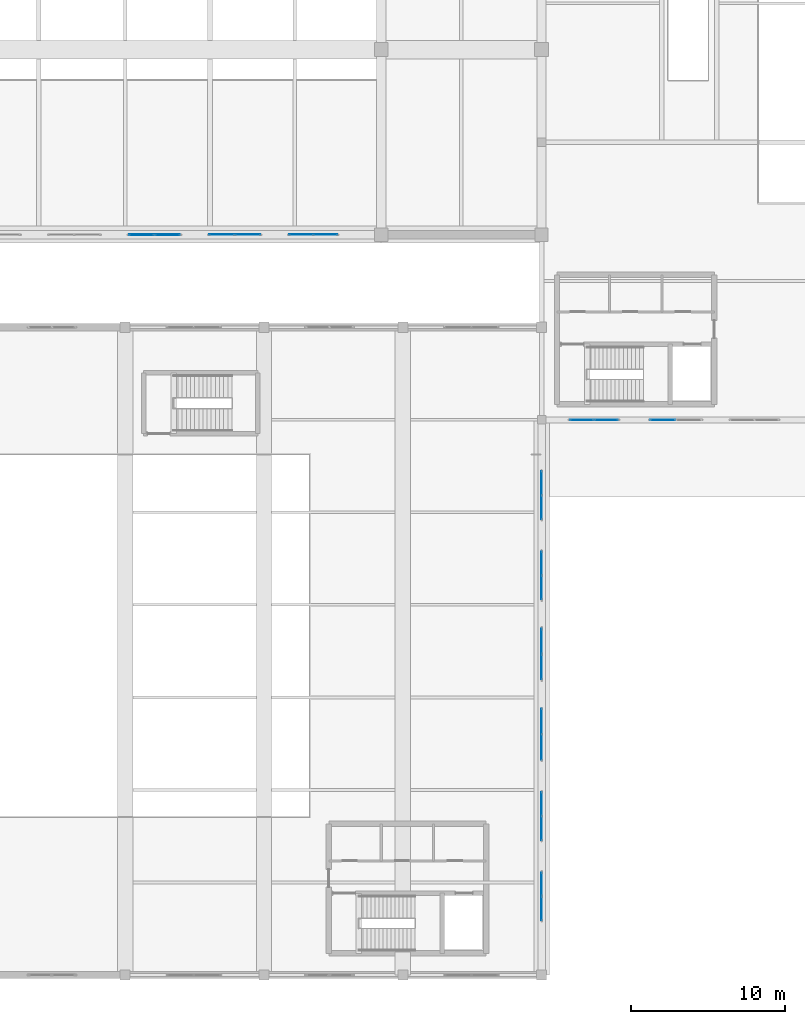
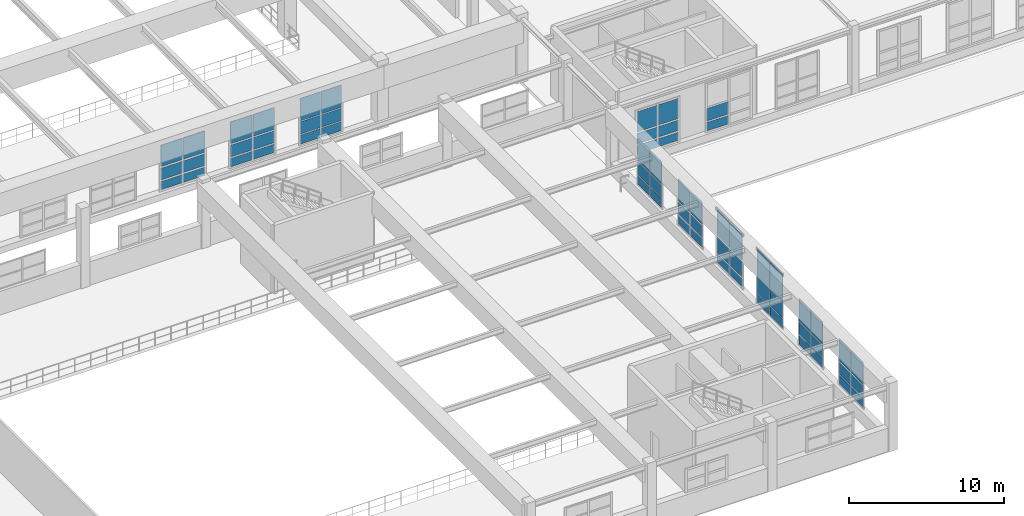
# One storey, part 156 of 197: 62 plates, 11 elements without a shape of their own.
"""IFC4 building model written with IfcOpenShell, lengths in metres."""

from ifc_helpers import new_model, si_unit, derived_unit, direction, frame, origin, origin_2d, place, context, subcontext, project, spatial, rectangle, extrude, material, layer, layer_set, type_object, element, aggregate, save


model = new_model("IFC4")

# Units and contexts
model_context = context("Model", 3, precision=1e-05, world=origin(), true_north=direction((0.0, 1.0)))
body_context = subcontext(model_context, "Body", "Model", "MODEL_VIEW")
ifc_project = project(units=[si_unit("LENGTHUNIT", "METRE"), si_unit("AREAUNIT", "SQUARE_METRE"), si_unit("VOLUMEUNIT", "CUBIC_METRE"), si_unit("PLANEANGLEUNIT", "RADIAN"), si_unit("MASSUNIT", "GRAM", prefix="KILO"), derived_unit("THERMALTRANSMITTANCEUNIT", [(si_unit("POWERUNIT", "WATT"), 1), (si_unit("LENGTHUNIT", "METRE"), -2), (si_unit("THERMODYNAMICTEMPERATUREUNIT", "KELVIN"), -1)])], contexts=[model_context])

# Site, building, storey
site_placement = place(None, origin())
site = spatial("IfcSite", under=ifc_project, at=site_placement, CompositionType="ELEMENT")
building_placement = place(site_placement, origin())
building = spatial("IfcBuilding", under=site, at=building_placement, Name="Almenara Railside Exhibition Hall", CompositionType="ELEMENT")
storey_placement = place(building_placement, frame((0.0, 0.0, 5.39990234375)))
storey = spatial("IfcBuildingStorey", under=building, at=storey_placement, Name="L01", CompositionType="ELEMENT", Elevation=5.39990234375)

# Curtain wall, plates
ifc_material_1 = material(Name="Bronze-anodised aluminium and low-E double glazing", Category="aluminium")
ifc_layer_1 = layer(ifc_material_1, 0.179931640625, Name="Bronze-anodised aluminium and low-E double glazing")
ifc_layer_set_1 = layer_set([ifc_layer_1], Name="Bronze-anodised aluminium and low-E double glazing")
curtain_wall_type_1 = type_object("IfcCurtainWallType", Name="Scroll Gable Side Curtain Wall 3200x3800", PredefinedType="NOTDEFINED", material=ifc_layer_set_1)
curtain_wall_1_placement = place(storey_placement, origin())
curtain_wall_1 = element("IfcCurtainWall", 1, at=curtain_wall_1_placement, inside=storey, type_object=curtain_wall_type_1, Name="Curtain wall CW-G4-030", PredefinedType="NOTDEFINED")
ifc_material_2 = material(Name="Solar-control acoustic laminated glazing", Category="glass")
ifc_layer_2 = layer(ifc_material_2, 0.031982421875, Name="Solar-control acoustic laminated glazing")
ifc_layer_set_2 = layer_set([ifc_layer_2], Name="Solar-control acoustic laminated glazing")
plate_type_1 = type_object("IfcPlateType", Name="Acoustic Low-E Double Glazing Panel 32mm", PredefinedType="CURTAIN_PANEL", material=ifc_layer_set_2)
plate_1_placement = place(storey_placement, frame((50.4150390625, 48.0, 0.59423828125), z_axis=(0.0, 0.0, 1.0), x_axis=(1.0, 0.0, 0.0)))
plate_1 = element("IfcPlate", 2, at=plate_1_placement, type_object=plate_type_1, Name="CW-G4-030 panel 1.1", PredefinedType="CURTAIN_PANEL", context=body_context, shape_type="SweptSolid", body=[
    extrude(rectangle(XDim=1.52587890625, YDim=0.031982421875, at=origin_2d()), origin(), (0.0, 0.0, 1.0), 0.717041015625),
])
plate_2_placement = place(storey_placement, frame((50.4150390625, 48.0, 1.38916015625), z_axis=(0.0, 0.0, 1.0), x_axis=(1.0, 0.0, 0.0)))
plate_2 = element("IfcPlate", 3, at=plate_2_placement, type_object=plate_type_1, Name="CW-G4-030 panel 1.2", PredefinedType="CURTAIN_PANEL", context=body_context, shape_type="SweptSolid", body=[
    extrude(rectangle(XDim=1.52587890625, YDim=0.031982421875, at=origin_2d()), origin(), (0.0, 0.0, 1.0), 0.971923828125),
])
plate_3_placement = place(storey_placement, frame((50.4150390625, 48.0, 2.43896484375), z_axis=(0.0, 0.0, 1.0), x_axis=(1.0, 0.0, 0.0)))
plate_3 = element("IfcPlate", 4, at=plate_3_placement, type_object=plate_type_1, Name="CW-G4-030 panel 1.3", PredefinedType="CURTAIN_PANEL", context=body_context, shape_type="SweptSolid", body=[
    extrude(rectangle(XDim=1.52587890625, YDim=0.031982421875, at=origin_2d()), origin(), (0.0, 0.0, 1.0), 1.76708984375),
])
plate_4_placement = place(storey_placement, frame((51.985107421875, 48.0, 0.59423828125), z_axis=(0.0, 0.0, 1.0), x_axis=(1.0, 0.0, 0.0)))
plate_4 = element("IfcPlate", 5, at=plate_4_placement, type_object=plate_type_1, Name="CW-G4-030 panel 2.1", PredefinedType="CURTAIN_PANEL", context=body_context, shape_type="SweptSolid", body=[
    extrude(rectangle(XDim=1.52587890625, YDim=0.031982421875, at=origin_2d()), origin(), (0.0, 0.0, 1.0), 0.717041015625),
])
plate_5_placement = place(storey_placement, frame((51.985107421875, 48.0, 1.38916015625), z_axis=(0.0, 0.0, 1.0), x_axis=(1.0, 0.0, 0.0)))
plate_5 = element("IfcPlate", 6, at=plate_5_placement, type_object=plate_type_1, Name="CW-G4-030 panel 2.2", PredefinedType="CURTAIN_PANEL", context=body_context, shape_type="SweptSolid", body=[
    extrude(rectangle(XDim=1.52587890625, YDim=0.031982421875, at=origin_2d()), origin(), (0.0, 0.0, 1.0), 0.971923828125),
])
plate_6_placement = place(storey_placement, frame((51.985107421875, 48.0, 2.43896484375), z_axis=(0.0, 0.0, 1.0), x_axis=(1.0, 0.0, 0.0)))
plate_6 = element("IfcPlate", 7, at=plate_6_placement, type_object=plate_type_1, Name="CW-G4-030 panel 2.3", PredefinedType="CURTAIN_PANEL", context=body_context, shape_type="SweptSolid", body=[
    extrude(rectangle(XDim=1.52587890625, YDim=0.031982421875, at=origin_2d()), origin(), (0.0, 0.0, 1.0), 1.76708984375),
])
aggregate(curtain_wall_1, [plate_1, plate_2, plate_3, plate_4, plate_5, plate_6])

ifc_layer_3 = layer(ifc_material_1, 0.179931640625, Name="Bronze-anodised aluminium and low-E double glazing")
ifc_layer_set_3 = layer_set([ifc_layer_3], Name="Bronze-anodised aluminium and low-E double glazing")
curtain_wall_type_2 = type_object("IfcCurtainWallType", Name="Scroll Gable Mid Curtain Wall 3400x4400", PredefinedType="NOTDEFINED", material=ifc_layer_set_3)
curtain_wall_2_placement = place(storey_placement, origin())
curtain_wall_2 = element("IfcCurtainWall", 8, at=curtain_wall_2_placement, inside=storey, type_object=curtain_wall_type_2, Name="Curtain wall CW-G3-115", PredefinedType="NOTDEFINED")
plate_7_placement = place(storey_placement, frame((66.0, 14.763671875, 1.024169921875), z_axis=(0.0, 0.0, 1.0), x_axis=(0.0, 1.0, 0.0)))
plate_7 = element("IfcPlate", 9, at=plate_7_placement, type_object=plate_type_1, Name="CW-G3-115 panel 1.1", PredefinedType="CURTAIN_PANEL", context=body_context, shape_type="SweptSolid", body=[
    extrude(rectangle(XDim=1.633544921875, YDim=0.031982421875, at=origin_2d()), origin(), (0.0, 0.0, 1.0), 0.7470703125),
])
plate_8_placement = place(storey_placement, frame((66.0, 14.763671875, 1.8291015625), z_axis=(0.0, 0.0, 1.0), x_axis=(0.0, 1.0, 0.0)))
plate_8 = element("IfcPlate", 10, at=plate_8_placement, type_object=plate_type_1, Name="CW-G3-115 panel 1.2", PredefinedType="CURTAIN_PANEL", context=body_context, shape_type="SweptSolid", body=[
    extrude(rectangle(XDim=1.633544921875, YDim=0.031982421875, at=origin_2d()), origin(), (0.0, 0.0, 1.0), 1.2919921875),
])
plate_9_placement = place(storey_placement, frame((66.0, 14.763671875, 3.17919921875), z_axis=(0.0, 0.0, 1.0), x_axis=(0.0, 1.0, 0.0)))
plate_9 = element("IfcPlate", 11, at=plate_9_placement, type_object=plate_type_1, Name="CW-G3-115 panel 1.3", PredefinedType="CURTAIN_PANEL", context=body_context, shape_type="SweptSolid", body=[
    extrude(rectangle(XDim=1.633544921875, YDim=0.031982421875, at=origin_2d()), origin(), (0.0, 0.0, 1.0), 2.096923828125),
])
plate_10_placement = place(storey_placement, frame((66.0, 16.436279296875, 1.024169921875), z_axis=(0.0, 0.0, 1.0), x_axis=(0.0, 1.0, 0.0)))
plate_10 = element("IfcPlate", 12, at=plate_10_placement, type_object=plate_type_1, Name="CW-G3-115 panel 2.1", PredefinedType="CURTAIN_PANEL", context=body_context, shape_type="SweptSolid", body=[
    extrude(rectangle(XDim=1.633544921875, YDim=0.031982421875, at=origin_2d()), origin(), (0.0, 0.0, 1.0), 0.7470703125),
])
plate_11_placement = place(storey_placement, frame((66.0, 16.436279296875, 1.8291015625), z_axis=(0.0, 0.0, 1.0), x_axis=(0.0, 1.0, 0.0)))
plate_11 = element("IfcPlate", 13, at=plate_11_placement, type_object=plate_type_1, Name="CW-G3-115 panel 2.2", PredefinedType="CURTAIN_PANEL", context=body_context, shape_type="SweptSolid", body=[
    extrude(rectangle(XDim=1.633544921875, YDim=0.031982421875, at=origin_2d()), origin(), (0.0, 0.0, 1.0), 1.2919921875),
])
plate_12_placement = place(storey_placement, frame((66.0, 16.436279296875, 3.17919921875), z_axis=(0.0, 0.0, 1.0), x_axis=(0.0, 1.0, 0.0)))
plate_12 = element("IfcPlate", 14, at=plate_12_placement, type_object=plate_type_1, Name="CW-G3-115 panel 2.3", PredefinedType="CURTAIN_PANEL", context=body_context, shape_type="SweptSolid", body=[
    extrude(rectangle(XDim=1.633544921875, YDim=0.031982421875, at=origin_2d()), origin(), (0.0, 0.0, 1.0), 2.096923828125),
])
aggregate(curtain_wall_2, [plate_7, plate_8, plate_9, plate_10, plate_11, plate_12])

ifc_layer_4 = layer(ifc_material_1, 0.179931640625, Name="Bronze-anodised aluminium and low-E double glazing")
ifc_layer_set_4 = layer_set([ifc_layer_4], Name="Bronze-anodised aluminium and low-E double glazing")
curtain_wall_type_3 = type_object("IfcCurtainWallType", Name="Concourse Upper Portale Curtain Wall 3400x3900", PredefinedType="NOTDEFINED", material=ifc_layer_set_4)
curtain_wall_3_placement = place(storey_placement, origin())
curtain_wall_3 = element("IfcCurtainWall", 15, at=curtain_wall_3_placement, inside=storey, type_object=curtain_wall_type_3, Name="Curtain wall CW-PC2-120", PredefinedType="NOTDEFINED")
plate_13_placement = place(storey_placement, frame((73.8662109375, 36.0, 0.72412109375), z_axis=(0.0, 0.0, 1.0), x_axis=(1.0, 0.0, 0.0)))
plate_13 = element("IfcPlate", 16, at=plate_13_placement, type_object=plate_type_1, Name="CW-PC2-120 panel 1.1", PredefinedType="CURTAIN_PANEL", context=body_context, shape_type="SweptSolid", body=[
    extrude(rectangle(XDim=1.618408203125, YDim=0.031982421875, at=origin_2d()), origin(), (0.0, 0.0, 1.0), 0.672119140625),
])
plate_14_placement = place(storey_placement, frame((73.8662109375, 36.0, 1.50390625), z_axis=(0.0, 0.0, 1.0), x_axis=(1.0, 0.0, 0.0)))
plate_14 = element("IfcPlate", 17, at=plate_14_placement, type_object=plate_type_1, Name="CW-PC2-120 panel 1.2", PredefinedType="CURTAIN_PANEL", context=body_context, shape_type="SweptSolid", body=[
    extrude(rectangle(XDim=1.618408203125, YDim=0.031982421875, at=origin_2d()), origin(), (0.0, 0.0, 1.0), 0.991943359375),
])
aggregate(curtain_wall_3, [plate_13, plate_14])

curtain_wall_4_placement = place(storey_placement, origin())
curtain_wall_4 = element("IfcCurtainWall", 18, at=curtain_wall_4_placement, inside=storey, type_object=curtain_wall_type_1, Name="Curtain wall CW-G4-117", PredefinedType="NOTDEFINED")
ifc_material_3 = material(Name="Clear low-E laminated double glazing", Category="glass")
ifc_layer_5 = layer(ifc_material_3, 0.02392578125, Name="Clear low-E laminated double glazing")
ifc_layer_set_5 = layer_set([ifc_layer_5], Name="Clear low-E laminated double glazing")
plate_type_2 = type_object("IfcPlateType", Name="Courtyard Clear Double Glazing Panel 24mm", PredefinedType="CURTAIN_PANEL", material=ifc_layer_set_5)
plate_15_placement = place(storey_placement, frame((66.0, 25.1162109375, 1.07421875), z_axis=(0.0, 0.0, 1.0), x_axis=(0.0, 1.0, 0.0)))
plate_15 = element("IfcPlate", 19, at=plate_15_placement, type_object=plate_type_2, Name="CW-G4-117 panel 1.1", PredefinedType="CURTAIN_PANEL", context=body_context, shape_type="SweptSolid", body=[
    extrude(rectangle(XDim=1.5185546875, YDim=0.02392578125, at=origin_2d()), origin(), (0.0, 0.0, 1.0), 0.672119140625),
])
plate_16_placement = place(storey_placement, frame((66.0, 25.1162109375, 1.854248046875), z_axis=(0.0, 0.0, 1.0), x_axis=(0.0, 1.0, 0.0)))
plate_16 = element("IfcPlate", 20, at=plate_16_placement, type_object=plate_type_2, Name="CW-G4-117 panel 1.2", PredefinedType="CURTAIN_PANEL", context=body_context, shape_type="SweptSolid", body=[
    extrude(rectangle(XDim=1.5185546875, YDim=0.02392578125, at=origin_2d()), origin(), (0.0, 0.0, 1.0), 0.94189453125),
])
plate_17_placement = place(storey_placement, frame((66.0, 25.1162109375, 2.904296875), z_axis=(0.0, 0.0, 1.0), x_axis=(0.0, 1.0, 0.0)))
plate_17 = element("IfcPlate", 21, at=plate_17_placement, type_object=plate_type_2, Name="CW-G4-117 panel 1.3", PredefinedType="CURTAIN_PANEL", context=body_context, shape_type="SweptSolid", body=[
    extrude(rectangle(XDim=1.5185546875, YDim=0.02392578125, at=origin_2d()), origin(), (0.0, 0.0, 1.0), 1.721923828125),
])
plate_18_placement = place(storey_placement, frame((66.0, 26.683837890625, 1.07421875), z_axis=(0.0, 0.0, 1.0), x_axis=(0.0, 1.0, 0.0)))
plate_18 = element("IfcPlate", 22, at=plate_18_placement, type_object=plate_type_2, Name="CW-G4-117 panel 2.1", PredefinedType="CURTAIN_PANEL", context=body_context, shape_type="SweptSolid", body=[
    extrude(rectangle(XDim=1.5185546875, YDim=0.02392578125, at=origin_2d()), origin(), (0.0, 0.0, 1.0), 0.672119140625),
])
plate_19_placement = place(storey_placement, frame((66.0, 26.683837890625, 1.854248046875), z_axis=(0.0, 0.0, 1.0), x_axis=(0.0, 1.0, 0.0)))
plate_19 = element("IfcPlate", 23, at=plate_19_placement, type_object=plate_type_2, Name="CW-G4-117 panel 2.2", PredefinedType="CURTAIN_PANEL", context=body_context, shape_type="SweptSolid", body=[
    extrude(rectangle(XDim=1.5185546875, YDim=0.02392578125, at=origin_2d()), origin(), (0.0, 0.0, 1.0), 0.94189453125),
])
plate_20_placement = place(storey_placement, frame((66.0, 26.683837890625, 2.904296875), z_axis=(0.0, 0.0, 1.0), x_axis=(0.0, 1.0, 0.0)))
plate_20 = element("IfcPlate", 24, at=plate_20_placement, type_object=plate_type_2, Name="CW-G4-117 panel 2.3", PredefinedType="CURTAIN_PANEL", context=body_context, shape_type="SweptSolid", body=[
    extrude(rectangle(XDim=1.5185546875, YDim=0.02392578125, at=origin_2d()), origin(), (0.0, 0.0, 1.0), 1.721923828125),
])
aggregate(curtain_wall_4, [plate_15, plate_16, plate_17, plate_18, plate_19, plate_20])

curtain_wall_5_placement = place(storey_placement, origin())
curtain_wall_5 = element("IfcCurtainWall", 25, at=curtain_wall_5_placement, inside=storey, type_object=curtain_wall_type_2, Name="Curtain wall CW-G3-028", PredefinedType="NOTDEFINED")
ifc_material_4 = material(Name="Bronze-anodised insulated aluminium spandrel", Category="aluminium")
ifc_layer_6 = layer(ifc_material_4, 0.0400390625, Name="Bronze-anodised insulated aluminium spandrel")
ifc_layer_set_6 = layer_set([ifc_layer_6], Name="Bronze-anodised insulated aluminium spandrel")
plate_type_3 = type_object("IfcPlateType", Name="Insulated Bronze Spandrel Panel 40mm", PredefinedType="CURTAIN_PANEL", material=ifc_layer_set_6)
plate_21_placement = place(storey_placement, frame((40.0673828125, 48.0, 0.64404296875), z_axis=(0.0, 0.0, 1.0), x_axis=(1.0, 0.0, 0.0)))
plate_21 = element("IfcPlate", 26, at=plate_21_placement, type_object=plate_type_3, Name="CW-G3-028 panel 1.1", PredefinedType="CURTAIN_PANEL", context=body_context, shape_type="SweptSolid", body=[
    extrude(rectangle(XDim=1.611083984375, YDim=0.0400390625, at=origin_2d()), origin(), (0.0, 0.0, 1.0), 0.64208984375),
])
plate_22_placement = place(storey_placement, frame((40.0673828125, 48.0, 1.4140625), z_axis=(0.0, 0.0, 1.0), x_axis=(1.0, 0.0, 0.0)))
plate_22 = element("IfcPlate", 27, at=plate_22_placement, type_object=plate_type_3, Name="CW-G3-028 panel 1.2", PredefinedType="CURTAIN_PANEL", context=body_context, shape_type="SweptSolid", body=[
    extrude(rectangle(XDim=1.611083984375, YDim=0.0400390625, at=origin_2d()), origin(), (0.0, 0.0, 1.0), 0.922119140625),
])
plate_23_placement = place(storey_placement, frame((40.0673828125, 48.0, 2.464111328125), z_axis=(0.0, 0.0, 1.0), x_axis=(1.0, 0.0, 0.0)))
plate_23 = element("IfcPlate", 28, at=plate_23_placement, type_object=plate_type_3, Name="CW-G3-028 panel 1.3", PredefinedType="CURTAIN_PANEL", context=body_context, shape_type="SweptSolid", body=[
    extrude(rectangle(XDim=1.611083984375, YDim=0.0400390625, at=origin_2d()), origin(), (0.0, 0.0, 1.0), 1.69189453125),
])
plate_24_placement = place(storey_placement, frame((41.732421875, 48.0, 0.64404296875), z_axis=(0.0, 0.0, 1.0), x_axis=(1.0, 0.0, 0.0)))
plate_24 = element("IfcPlate", 29, at=plate_24_placement, type_object=plate_type_3, Name="CW-G3-028 panel 2.1", PredefinedType="CURTAIN_PANEL", context=body_context, shape_type="SweptSolid", body=[
    extrude(rectangle(XDim=1.611083984375, YDim=0.0400390625, at=origin_2d()), origin(), (0.0, 0.0, 1.0), 0.64208984375),
])
plate_25_placement = place(storey_placement, frame((41.732421875, 48.0, 1.4140625), z_axis=(0.0, 0.0, 1.0), x_axis=(1.0, 0.0, 0.0)))
plate_25 = element("IfcPlate", 30, at=plate_25_placement, type_object=plate_type_3, Name="CW-G3-028 panel 2.2", PredefinedType="CURTAIN_PANEL", context=body_context, shape_type="SweptSolid", body=[
    extrude(rectangle(XDim=1.611083984375, YDim=0.0400390625, at=origin_2d()), origin(), (0.0, 0.0, 1.0), 0.922119140625),
])
plate_26_placement = place(storey_placement, frame((41.732421875, 48.0, 2.464111328125), z_axis=(0.0, 0.0, 1.0), x_axis=(1.0, 0.0, 0.0)))
plate_26 = element("IfcPlate", 31, at=plate_26_placement, type_object=plate_type_3, Name="CW-G3-028 panel 2.3", PredefinedType="CURTAIN_PANEL", context=body_context, shape_type="SweptSolid", body=[
    extrude(rectangle(XDim=1.611083984375, YDim=0.0400390625, at=origin_2d()), origin(), (0.0, 0.0, 1.0), 1.69189453125),
])
aggregate(curtain_wall_5, [plate_21, plate_22, plate_23, plate_24, plate_25, plate_26])

curtain_wall_6_placement = place(storey_placement, origin())
curtain_wall_6 = element("IfcCurtainWall", 32, at=curtain_wall_6_placement, inside=storey, type_object=curtain_wall_type_1, Name="Curtain wall CW-G4-113", PredefinedType="NOTDEFINED")
plate_27_placement = place(storey_placement, frame((66.0, 4.316162109375, 1.07421875), z_axis=(0.0, 0.0, 1.0), x_axis=(0.0, 1.0, 0.0)))
plate_27 = element("IfcPlate", 33, at=plate_27_placement, type_object=plate_type_3, Name="CW-G4-113 panel 1.1", PredefinedType="CURTAIN_PANEL", context=body_context, shape_type="SweptSolid", body=[
    extrude(rectangle(XDim=1.5185546875, YDim=0.0400390625, at=origin_2d()), origin(), (0.0, 0.0, 1.0), 0.672119140625),
])
plate_28_placement = place(storey_placement, frame((66.0, 4.316162109375, 1.854248046875), z_axis=(0.0, 0.0, 1.0), x_axis=(0.0, 1.0, 0.0)))
plate_28 = element("IfcPlate", 34, at=plate_28_placement, type_object=plate_type_3, Name="CW-G4-113 panel 1.2", PredefinedType="CURTAIN_PANEL", context=body_context, shape_type="SweptSolid", body=[
    extrude(rectangle(XDim=1.5185546875, YDim=0.0400390625, at=origin_2d()), origin(), (0.0, 0.0, 1.0), 0.94189453125),
])
plate_29_placement = place(storey_placement, frame((66.0, 4.316162109375, 2.904296875), z_axis=(0.0, 0.0, 1.0), x_axis=(0.0, 1.0, 0.0)))
plate_29 = element("IfcPlate", 35, at=plate_29_placement, type_object=plate_type_3, Name="CW-G4-113 panel 1.3", PredefinedType="CURTAIN_PANEL", context=body_context, shape_type="SweptSolid", body=[
    extrude(rectangle(XDim=1.5185546875, YDim=0.0400390625, at=origin_2d()), origin(), (0.0, 0.0, 1.0), 1.721923828125),
])
plate_30_placement = place(storey_placement, frame((66.0, 5.8837890625, 1.07421875), z_axis=(0.0, 0.0, 1.0), x_axis=(0.0, 1.0, 0.0)))
plate_30 = element("IfcPlate", 36, at=plate_30_placement, type_object=plate_type_3, Name="CW-G4-113 panel 2.1", PredefinedType="CURTAIN_PANEL", context=body_context, shape_type="SweptSolid", body=[
    extrude(rectangle(XDim=1.5185546875, YDim=0.0400390625, at=origin_2d()), origin(), (0.0, 0.0, 1.0), 0.672119140625),
])
plate_31_placement = place(storey_placement, frame((66.0, 5.8837890625, 1.854248046875), z_axis=(0.0, 0.0, 1.0), x_axis=(0.0, 1.0, 0.0)))
plate_31 = element("IfcPlate", 37, at=plate_31_placement, type_object=plate_type_3, Name="CW-G4-113 panel 2.2", PredefinedType="CURTAIN_PANEL", context=body_context, shape_type="SweptSolid", body=[
    extrude(rectangle(XDim=1.5185546875, YDim=0.0400390625, at=origin_2d()), origin(), (0.0, 0.0, 1.0), 0.94189453125),
])
plate_32_placement = place(storey_placement, frame((66.0, 5.8837890625, 2.904296875), z_axis=(0.0, 0.0, 1.0), x_axis=(0.0, 1.0, 0.0)))
plate_32 = element("IfcPlate", 38, at=plate_32_placement, type_object=plate_type_3, Name="CW-G4-113 panel 2.3", PredefinedType="CURTAIN_PANEL", context=body_context, shape_type="SweptSolid", body=[
    extrude(rectangle(XDim=1.5185546875, YDim=0.0400390625, at=origin_2d()), origin(), (0.0, 0.0, 1.0), 1.721923828125),
])
aggregate(curtain_wall_6, [plate_27, plate_28, plate_29, plate_30, plate_31, plate_32])

curtain_wall_7_placement = place(storey_placement, origin())
curtain_wall_7 = element("IfcCurtainWall", 39, at=curtain_wall_7_placement, inside=storey, type_object=curtain_wall_type_1, Name="Curtain wall CW-G4-118", PredefinedType="NOTDEFINED")
plate_33_placement = place(storey_placement, frame((66.0, 30.31494140625, 1.0439453125), z_axis=(0.0, 0.0, 1.0), x_axis=(0.0, 1.0, 0.0)))
plate_33 = element("IfcPlate", 40, at=plate_33_placement, type_object=plate_type_3, Name="CW-G4-118 panel 1.1", PredefinedType="CURTAIN_PANEL", context=body_context, shape_type="SweptSolid", body=[
    extrude(rectangle(XDim=1.52587890625, YDim=0.0400390625, at=origin_2d()), origin(), (0.0, 0.0, 1.0), 0.717041015625),
])
plate_34_placement = place(storey_placement, frame((66.0, 30.31494140625, 1.83935546875), z_axis=(0.0, 0.0, 1.0), x_axis=(0.0, 1.0, 0.0)))
plate_34 = element("IfcPlate", 41, at=plate_34_placement, type_object=plate_type_3, Name="CW-G4-118 panel 1.2", PredefinedType="CURTAIN_PANEL", context=body_context, shape_type="SweptSolid", body=[
    extrude(rectangle(XDim=1.52587890625, YDim=0.0400390625, at=origin_2d()), origin(), (0.0, 0.0, 1.0), 0.971923828125),
])
plate_35_placement = place(storey_placement, frame((66.0, 30.31494140625, 2.88916015625), z_axis=(0.0, 0.0, 1.0), x_axis=(0.0, 1.0, 0.0)))
plate_35 = element("IfcPlate", 42, at=plate_35_placement, type_object=plate_type_3, Name="CW-G4-118 panel 1.3", PredefinedType="CURTAIN_PANEL", context=body_context, shape_type="SweptSolid", body=[
    extrude(rectangle(XDim=1.52587890625, YDim=0.0400390625, at=origin_2d()), origin(), (0.0, 0.0, 1.0), 1.76708984375),
])
plate_36_placement = place(storey_placement, frame((66.0, 31.885009765625, 1.0439453125), z_axis=(0.0, 0.0, 1.0), x_axis=(0.0, 1.0, 0.0)))
plate_36 = element("IfcPlate", 43, at=plate_36_placement, type_object=plate_type_3, Name="CW-G4-118 panel 2.1", PredefinedType="CURTAIN_PANEL", context=body_context, shape_type="SweptSolid", body=[
    extrude(rectangle(XDim=1.52587890625, YDim=0.0400390625, at=origin_2d()), origin(), (0.0, 0.0, 1.0), 0.717041015625),
])
plate_37_placement = place(storey_placement, frame((66.0, 31.885009765625, 1.83935546875), z_axis=(0.0, 0.0, 1.0), x_axis=(0.0, 1.0, 0.0)))
plate_37 = element("IfcPlate", 44, at=plate_37_placement, type_object=plate_type_3, Name="CW-G4-118 panel 2.2", PredefinedType="CURTAIN_PANEL", context=body_context, shape_type="SweptSolid", body=[
    extrude(rectangle(XDim=1.52587890625, YDim=0.0400390625, at=origin_2d()), origin(), (0.0, 0.0, 1.0), 0.971923828125),
])
plate_38_placement = place(storey_placement, frame((66.0, 31.885009765625, 2.88916015625), z_axis=(0.0, 0.0, 1.0), x_axis=(0.0, 1.0, 0.0)))
plate_38 = element("IfcPlate", 45, at=plate_38_placement, type_object=plate_type_3, Name="CW-G4-118 panel 2.3", PredefinedType="CURTAIN_PANEL", context=body_context, shape_type="SweptSolid", body=[
    extrude(rectangle(XDim=1.52587890625, YDim=0.0400390625, at=origin_2d()), origin(), (0.0, 0.0, 1.0), 1.76708984375),
])
aggregate(curtain_wall_7, [plate_33, plate_34, plate_35, plate_36, plate_37, plate_38])

curtain_wall_8_placement = place(storey_placement, origin())
curtain_wall_8 = element("IfcCurtainWall", 46, at=curtain_wall_8_placement, inside=storey, type_object=curtain_wall_type_2, Name="Curtain wall CW-G3-029", PredefinedType="NOTDEFINED")
ifc_layer_7 = layer(ifc_material_4, 0.034912109375, Name="Bronze-anodised insulated aluminium spandrel")
ifc_layer_set_7 = layer_set([ifc_layer_7], Name="Bronze-anodised insulated aluminium spandrel")
plate_type_4 = type_object("IfcPlateType", Name="Insulated Stucco-Tone Spandrel Panel 35mm", PredefinedType="CURTAIN_PANEL", material=ifc_layer_set_7)
plate_39_placement = place(storey_placement, frame((45.266357421875, 48.0, 0.6240234375), z_axis=(0.0, 0.0, 1.0), x_axis=(1.0, 0.0, 0.0)))
plate_39 = element("IfcPlate", 47, at=plate_39_placement, type_object=plate_type_4, Name="CW-G3-029 panel 1.1", PredefinedType="CURTAIN_PANEL", context=body_context, shape_type="SweptSolid", body=[
    extrude(rectangle(XDim=1.618408203125, YDim=0.034912109375, at=origin_2d()), origin(), (0.0, 0.0, 1.0), 0.672119140625),
])
plate_40_placement = place(storey_placement, frame((45.266357421875, 48.0, 1.404052734375), z_axis=(0.0, 0.0, 1.0), x_axis=(1.0, 0.0, 0.0)))
plate_40 = element("IfcPlate", 48, at=plate_40_placement, type_object=plate_type_4, Name="CW-G3-029 panel 1.2", PredefinedType="CURTAIN_PANEL", context=body_context, shape_type="SweptSolid", body=[
    extrude(rectangle(XDim=1.618408203125, YDim=0.034912109375, at=origin_2d()), origin(), (0.0, 0.0, 1.0), 0.94189453125),
])
plate_41_placement = place(storey_placement, frame((45.266357421875, 48.0, 2.4541015625), z_axis=(0.0, 0.0, 1.0), x_axis=(1.0, 0.0, 0.0)))
plate_41 = element("IfcPlate", 49, at=plate_41_placement, type_object=plate_type_4, Name="CW-G3-029 panel 1.3", PredefinedType="CURTAIN_PANEL", context=body_context, shape_type="SweptSolid", body=[
    extrude(rectangle(XDim=1.618408203125, YDim=0.034912109375, at=origin_2d()), origin(), (0.0, 0.0, 1.0), 1.721923828125),
])
plate_42_placement = place(storey_placement, frame((46.933837890625, 48.0, 0.6240234375), z_axis=(0.0, 0.0, 1.0), x_axis=(1.0, 0.0, 0.0)))
plate_42 = element("IfcPlate", 50, at=plate_42_placement, type_object=plate_type_4, Name="CW-G3-029 panel 2.1", PredefinedType="CURTAIN_PANEL", context=body_context, shape_type="SweptSolid", body=[
    extrude(rectangle(XDim=1.618408203125, YDim=0.034912109375, at=origin_2d()), origin(), (0.0, 0.0, 1.0), 0.672119140625),
])
plate_43_placement = place(storey_placement, frame((46.933837890625, 48.0, 1.404052734375), z_axis=(0.0, 0.0, 1.0), x_axis=(1.0, 0.0, 0.0)))
plate_43 = element("IfcPlate", 51, at=plate_43_placement, type_object=plate_type_4, Name="CW-G3-029 panel 2.2", PredefinedType="CURTAIN_PANEL", context=body_context, shape_type="SweptSolid", body=[
    extrude(rectangle(XDim=1.618408203125, YDim=0.034912109375, at=origin_2d()), origin(), (0.0, 0.0, 1.0), 0.94189453125),
])
plate_44_placement = place(storey_placement, frame((46.933837890625, 48.0, 2.4541015625), z_axis=(0.0, 0.0, 1.0), x_axis=(1.0, 0.0, 0.0)))
plate_44 = element("IfcPlate", 52, at=plate_44_placement, type_object=plate_type_4, Name="CW-G3-029 panel 2.3", PredefinedType="CURTAIN_PANEL", context=body_context, shape_type="SweptSolid", body=[
    extrude(rectangle(XDim=1.618408203125, YDim=0.034912109375, at=origin_2d()), origin(), (0.0, 0.0, 1.0), 1.721923828125),
])
aggregate(curtain_wall_8, [plate_39, plate_40, plate_41, plate_42, plate_43, plate_44])

curtain_wall_9_placement = place(storey_placement, origin())
curtain_wall_9 = element("IfcCurtainWall", 53, at=curtain_wall_9_placement, inside=storey, type_object=curtain_wall_type_1, Name="Curtain wall CW-G4-114", PredefinedType="NOTDEFINED")
plate_45_placement = place(storey_placement, frame((66.0, 9.514892578125, 1.0439453125), z_axis=(0.0, 0.0, 1.0), x_axis=(0.0, 1.0, 0.0)))
plate_45 = element("IfcPlate", 54, at=plate_45_placement, type_object=plate_type_4, Name="CW-G4-114 panel 1.1", PredefinedType="CURTAIN_PANEL", context=body_context, shape_type="SweptSolid", body=[
    extrude(rectangle(XDim=1.52587890625, YDim=0.034912109375, at=origin_2d()), origin(), (0.0, 0.0, 1.0), 0.717041015625),
])
plate_46_placement = place(storey_placement, frame((66.0, 9.514892578125, 1.83935546875), z_axis=(0.0, 0.0, 1.0), x_axis=(0.0, 1.0, 0.0)))
plate_46 = element("IfcPlate", 55, at=plate_46_placement, type_object=plate_type_4, Name="CW-G4-114 panel 1.2", PredefinedType="CURTAIN_PANEL", context=body_context, shape_type="SweptSolid", body=[
    extrude(rectangle(XDim=1.52587890625, YDim=0.034912109375, at=origin_2d()), origin(), (0.0, 0.0, 1.0), 0.971923828125),
])
plate_47_placement = place(storey_placement, frame((66.0, 9.514892578125, 2.88916015625), z_axis=(0.0, 0.0, 1.0), x_axis=(0.0, 1.0, 0.0)))
plate_47 = element("IfcPlate", 56, at=plate_47_placement, type_object=plate_type_4, Name="CW-G4-114 panel 1.3", PredefinedType="CURTAIN_PANEL", context=body_context, shape_type="SweptSolid", body=[
    extrude(rectangle(XDim=1.52587890625, YDim=0.034912109375, at=origin_2d()), origin(), (0.0, 0.0, 1.0), 1.76708984375),
])
plate_48_placement = place(storey_placement, frame((66.0, 11.0849609375, 1.0439453125), z_axis=(0.0, 0.0, 1.0), x_axis=(0.0, 1.0, 0.0)))
plate_48 = element("IfcPlate", 57, at=plate_48_placement, type_object=plate_type_4, Name="CW-G4-114 panel 2.1", PredefinedType="CURTAIN_PANEL", context=body_context, shape_type="SweptSolid", body=[
    extrude(rectangle(XDim=1.52587890625, YDim=0.034912109375, at=origin_2d()), origin(), (0.0, 0.0, 1.0), 0.717041015625),
])
plate_49_placement = place(storey_placement, frame((66.0, 11.0849609375, 1.83935546875), z_axis=(0.0, 0.0, 1.0), x_axis=(0.0, 1.0, 0.0)))
plate_49 = element("IfcPlate", 58, at=plate_49_placement, type_object=plate_type_4, Name="CW-G4-114 panel 2.2", PredefinedType="CURTAIN_PANEL", context=body_context, shape_type="SweptSolid", body=[
    extrude(rectangle(XDim=1.52587890625, YDim=0.034912109375, at=origin_2d()), origin(), (0.0, 0.0, 1.0), 0.971923828125),
])
plate_50_placement = place(storey_placement, frame((66.0, 11.0849609375, 2.88916015625), z_axis=(0.0, 0.0, 1.0), x_axis=(0.0, 1.0, 0.0)))
plate_50 = element("IfcPlate", 59, at=plate_50_placement, type_object=plate_type_4, Name="CW-G4-114 panel 2.3", PredefinedType="CURTAIN_PANEL", context=body_context, shape_type="SweptSolid", body=[
    extrude(rectangle(XDim=1.52587890625, YDim=0.034912109375, at=origin_2d()), origin(), (0.0, 0.0, 1.0), 1.76708984375),
])
aggregate(curtain_wall_9, [plate_45, plate_46, plate_47, plate_48, plate_49, plate_50])

ifc_layer_8 = layer(ifc_material_1, 0.179931640625, Name="Bronze-anodised aluminium and low-E double glazing")
ifc_layer_set_8 = layer_set([ifc_layer_8], Name="Bronze-anodised aluminium and low-E double glazing")
curtain_wall_type_4 = type_object("IfcCurtainWallType", Name="Concourse Bridge Curtain Wall 3200x3600", PredefinedType="NOTDEFINED", material=ifc_layer_set_8)
curtain_wall_10_placement = place(storey_placement, origin())
curtain_wall_10 = element("IfcCurtainWall", 60, at=curtain_wall_10_placement, inside=storey, type_object=curtain_wall_type_4, Name="Curtain wall CW-PC3-119", PredefinedType="NOTDEFINED")
plate_51_placement = place(storey_placement, frame((68.617431640625, 36.0, 0.744140625), z_axis=(0.0, 0.0, 1.0), x_axis=(1.0, 0.0, 0.0)))
plate_51 = element("IfcPlate", 61, at=plate_51_placement, type_object=plate_type_4, Name="CW-PC3-119 panel 1.1", PredefinedType="CURTAIN_PANEL", context=body_context, shape_type="SweptSolid", body=[
    extrude(rectangle(XDim=1.510986328125, YDim=0.034912109375, at=origin_2d()), origin(), (0.0, 0.0, 1.0), 0.64208984375),
])
plate_52_placement = place(storey_placement, frame((68.617431640625, 36.0, 1.51416015625), z_axis=(0.0, 0.0, 1.0), x_axis=(1.0, 0.0, 0.0)))
plate_52 = element("IfcPlate", 62, at=plate_52_placement, type_object=plate_type_4, Name="CW-PC3-119 panel 1.2", PredefinedType="CURTAIN_PANEL", context=body_context, shape_type="SweptSolid", body=[
    extrude(rectangle(XDim=1.510986328125, YDim=0.034912109375, at=origin_2d()), origin(), (0.0, 0.0, 1.0), 0.822021484375),
])
plate_53_placement = place(storey_placement, frame((68.617431640625, 36.0, 2.4638671875), z_axis=(0.0, 0.0, 1.0), x_axis=(1.0, 0.0, 0.0)))
plate_53 = element("IfcPlate", 63, at=plate_53_placement, type_object=plate_type_4, Name="CW-PC3-119 panel 1.3", PredefinedType="CURTAIN_PANEL", context=body_context, shape_type="SweptSolid", body=[
    extrude(rectangle(XDim=1.510986328125, YDim=0.034912109375, at=origin_2d()), origin(), (0.0, 0.0, 1.0), 1.592041015625),
])
plate_54_placement = place(storey_placement, frame((70.1826171875, 36.0, 0.744140625), z_axis=(0.0, 0.0, 1.0), x_axis=(1.0, 0.0, 0.0)))
plate_54 = element("IfcPlate", 64, at=plate_54_placement, type_object=plate_type_4, Name="CW-PC3-119 panel 2.1", PredefinedType="CURTAIN_PANEL", context=body_context, shape_type="SweptSolid", body=[
    extrude(rectangle(XDim=1.510986328125, YDim=0.034912109375, at=origin_2d()), origin(), (0.0, 0.0, 1.0), 0.64208984375),
])
plate_55_placement = place(storey_placement, frame((70.1826171875, 36.0, 1.51416015625), z_axis=(0.0, 0.0, 1.0), x_axis=(1.0, 0.0, 0.0)))
plate_55 = element("IfcPlate", 65, at=plate_55_placement, type_object=plate_type_4, Name="CW-PC3-119 panel 2.2", PredefinedType="CURTAIN_PANEL", context=body_context, shape_type="SweptSolid", body=[
    extrude(rectangle(XDim=1.510986328125, YDim=0.034912109375, at=origin_2d()), origin(), (0.0, 0.0, 1.0), 0.822021484375),
])
plate_56_placement = place(storey_placement, frame((70.1826171875, 36.0, 2.4638671875), z_axis=(0.0, 0.0, 1.0), x_axis=(1.0, 0.0, 0.0)))
plate_56 = element("IfcPlate", 66, at=plate_56_placement, type_object=plate_type_4, Name="CW-PC3-119 panel 2.3", PredefinedType="CURTAIN_PANEL", context=body_context, shape_type="SweptSolid", body=[
    extrude(rectangle(XDim=1.510986328125, YDim=0.034912109375, at=origin_2d()), origin(), (0.0, 0.0, 1.0), 1.592041015625),
])
aggregate(curtain_wall_10, [plate_51, plate_52, plate_53, plate_54, plate_55, plate_56])

curtain_wall_11_placement = place(storey_placement, origin())
curtain_wall_11 = element("IfcCurtainWall", 67, at=curtain_wall_11_placement, inside=storey, type_object=curtain_wall_type_2, Name="Curtain wall CW-G3-116", PredefinedType="NOTDEFINED")
ifc_material_5 = material(Name="Solar-control low-E laminated double glazing", Category="glass")
ifc_layer_9 = layer(ifc_material_5, 0.028076171875, Name="Solar-control low-E laminated double glazing")
ifc_layer_set_9 = layer_set([ifc_layer_9], Name="Solar-control low-E laminated double glazing")
plate_type_5 = type_object("IfcPlateType", Name="Low-E Solar Control Double Glazing Panel 28mm", PredefinedType="CURTAIN_PANEL", material=ifc_layer_set_9)
plate_57_placement = place(storey_placement, frame((66.0, 19.967529296875, 1.093994140625), z_axis=(0.0, 0.0, 1.0), x_axis=(0.0, 1.0, 0.0)))
plate_57 = element("IfcPlate", 68, at=plate_57_placement, type_object=plate_type_5, Name="CW-G3-116 panel 1.1", PredefinedType="CURTAIN_PANEL", context=body_context, shape_type="SweptSolid", body=[
    extrude(rectangle(XDim=1.611083984375, YDim=0.028076171875, at=origin_2d()), origin(), (0.0, 0.0, 1.0), 0.64208984375),
])
plate_58_placement = place(storey_placement, frame((66.0, 19.967529296875, 1.8642578125), z_axis=(0.0, 0.0, 1.0), x_axis=(0.0, 1.0, 0.0)))
plate_58 = element("IfcPlate", 69, at=plate_58_placement, type_object=plate_type_5, Name="CW-G3-116 panel 1.2", PredefinedType="CURTAIN_PANEL", context=body_context, shape_type="SweptSolid", body=[
    extrude(rectangle(XDim=1.611083984375, YDim=0.028076171875, at=origin_2d()), origin(), (0.0, 0.0, 1.0), 1.221923828125),
])
plate_59_placement = place(storey_placement, frame((66.0, 19.967529296875, 3.21435546875), z_axis=(0.0, 0.0, 1.0), x_axis=(0.0, 1.0, 0.0)))
plate_59 = element("IfcPlate", 70, at=plate_59_placement, type_object=plate_type_5, Name="CW-G3-116 panel 1.3", PredefinedType="CURTAIN_PANEL", context=body_context, shape_type="SweptSolid", body=[
    extrude(rectangle(XDim=1.611083984375, YDim=0.028076171875, at=origin_2d()), origin(), (0.0, 0.0, 1.0), 1.991943359375),
])
plate_60_placement = place(storey_placement, frame((66.0, 21.632568359375, 1.093994140625), z_axis=(0.0, 0.0, 1.0), x_axis=(0.0, 1.0, 0.0)))
plate_60 = element("IfcPlate", 71, at=plate_60_placement, type_object=plate_type_5, Name="CW-G3-116 panel 2.1", PredefinedType="CURTAIN_PANEL", context=body_context, shape_type="SweptSolid", body=[
    extrude(rectangle(XDim=1.611083984375, YDim=0.028076171875, at=origin_2d()), origin(), (0.0, 0.0, 1.0), 0.64208984375),
])
plate_61_placement = place(storey_placement, frame((66.0, 21.632568359375, 1.8642578125), z_axis=(0.0, 0.0, 1.0), x_axis=(0.0, 1.0, 0.0)))
plate_61 = element("IfcPlate", 72, at=plate_61_placement, type_object=plate_type_5, Name="CW-G3-116 panel 2.2", PredefinedType="CURTAIN_PANEL", context=body_context, shape_type="SweptSolid", body=[
    extrude(rectangle(XDim=1.611083984375, YDim=0.028076171875, at=origin_2d()), origin(), (0.0, 0.0, 1.0), 1.221923828125),
])
plate_62_placement = place(storey_placement, frame((66.0, 21.632568359375, 3.21435546875), z_axis=(0.0, 0.0, 1.0), x_axis=(0.0, 1.0, 0.0)))
plate_62 = element("IfcPlate", 73, at=plate_62_placement, type_object=plate_type_5, Name="CW-G3-116 panel 2.3", PredefinedType="CURTAIN_PANEL", context=body_context, shape_type="SweptSolid", body=[
    extrude(rectangle(XDim=1.611083984375, YDim=0.028076171875, at=origin_2d()), origin(), (0.0, 0.0, 1.0), 1.991943359375),
])
aggregate(curtain_wall_11, [plate_57, plate_58, plate_59, plate_60, plate_61, plate_62])

save(model, "model.ifc")
